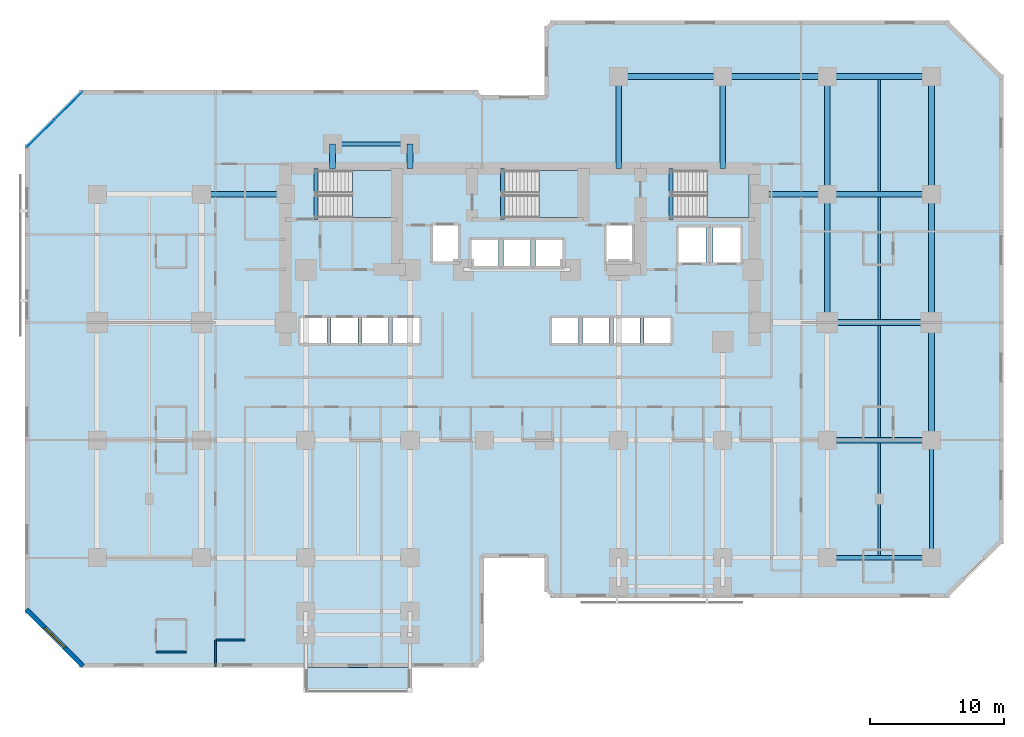
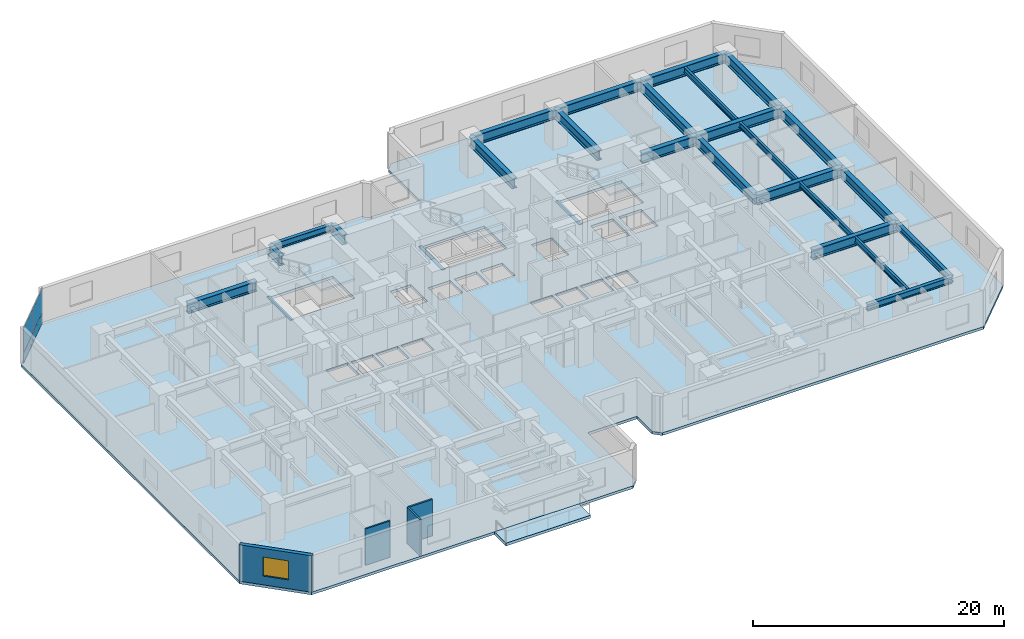
# One storey, part 4 of 12: 27 beams, 5 slabs, 4 plates, 4 walls, 1 window, 1 opening, 4 elements without a shape of their own.
"""IFC4 building model written with IfcOpenShell, lengths in metres."""

from ifc_helpers import new_model, si_unit, direction, frame, frame_2d, origin, origin_2d, place, context, subcontext, project, spatial, polyline, rectangle, i_section, outline, extrude, material, layer, layer_set, material_profile, profile_set, type_object, element, fill, aggregate, save


model = new_model("IFC4")

# Units and contexts
model_context = context("Model", 3, precision=1e-05, world=origin(), true_north=direction((0.0, 1.0)))
body_context = subcontext(model_context, "Body", "Model", "MODEL_VIEW")
ifc_project = project(units=[si_unit("LENGTHUNIT", "METRE"), si_unit("AREAUNIT", "SQUARE_METRE"), si_unit("VOLUMEUNIT", "CUBIC_METRE"), si_unit("PLANEANGLEUNIT", "RADIAN"), si_unit("MASSUNIT", "GRAM", prefix="KILO")], contexts=[model_context])

# Site, building, storey
site_placement = place(None, origin())
site = spatial("IfcSite", under=ifc_project, at=site_placement, CompositionType="ELEMENT")
building_placement = place(site_placement, origin())
building = spatial("IfcBuilding", under=site, at=building_placement, Name="Kestravale Grand Hotel", CompositionType="ELEMENT")
storey_placement = place(building_placement, frame((0.0, 0.0, 33.60009765625)))
storey = spatial("IfcBuildingStorey", under=building, at=storey_placement, Name="L07", CompositionType="ELEMENT", Elevation=33.60009765625)

# Beams
ifc_material_1 = material(Name="Steel ASTM A992 Grade 50", Category="steel")
ifc_material_profile_1 = material_profile(ifc_material_1, i_section(OverallWidth=0.2099609375, OverallDepth=0.535888671875, WebThickness=0.010986328125, FlangeThickness=0.017333984375, FilletRadius=0.017578125, at=origin_2d()))
ifc_profile_set_1 = profile_set([ifc_material_profile_1], Name="Steel ASTM A992 Grade 50")
beam_type_1 = type_object("IfcBeamType", Name="B-FLR-JST21", PredefinedType="JOIST", material=ifc_profile_set_1)
beam_1_placement = place(storey_placement, frame((66.300048828125, 11.362548828125, 3.27197265625), z_axis=(0.0, 1.0, 0.0), x_axis=(-1.0, 0.0, 0.0)))
element("IfcBeam", 1, at=beam_1_placement, inside=storey, type_object=beam_type_1, Name="L07 floor joist 10-11/C-D #1", PredefinedType="JOIST", context=body_context, shape_type="SweptSolid", body=[
    extrude(i_section(OverallWidth=0.2099609375, OverallDepth=0.535888671875, WebThickness=0.010986328125, FlangeThickness=0.017333984375, FilletRadius=0.017578125, at=origin_2d()), origin(), (0.0, 0.0, 1.0), 8.425537109375),
])
beam_2_placement = place(storey_placement, frame((66.300048828125, 20.2119140625, 3.27197265625), z_axis=(0.0, 1.0, 0.0), x_axis=(-1.0, 0.0, 0.0)))
element("IfcBeam", 2, at=beam_2_placement, inside=storey, type_object=beam_type_1, Name="L07 floor joist 10-11/D-E #1", PredefinedType="JOIST", context=body_context, shape_type="SweptSolid", body=[
    extrude(i_section(OverallWidth=0.2099609375, OverallDepth=0.535888671875, WebThickness=0.010986328125, FlangeThickness=0.017333984375, FilletRadius=0.017578125, at=origin_2d()), origin(), (0.0, 0.0, 1.0), 8.3759765625),
])
beam_3_placement = place(storey_placement, frame((66.300048828125, 29.011962890625, 3.27197265625), z_axis=(0.0, 1.0, 0.0), x_axis=(-1.0, 0.0, 0.0)))
element("IfcBeam", 3, at=beam_3_placement, inside=storey, type_object=beam_type_1, Name="L07 floor joist 10-11/E-F #1", PredefinedType="JOIST", context=body_context, shape_type="SweptSolid", body=[
    extrude(i_section(OverallWidth=0.2099609375, OverallDepth=0.535888671875, WebThickness=0.010986328125, FlangeThickness=0.017333984375, FilletRadius=0.017578125, at=origin_2d()), origin(), (0.0, 0.0, 1.0), 9.176025390625),
])
beam_4_placement = place(storey_placement, frame((66.300048828125, 38.612060546875, 3.27197265625), z_axis=(0.0, 1.0, 0.0), x_axis=(-1.0, 0.0, 0.0)))
element("IfcBeam", 4, at=beam_4_placement, inside=storey, type_object=beam_type_1, Name="L07 floor joist 10-11/F-G #1", PredefinedType="JOIST", context=body_context, shape_type="SweptSolid", body=[
    extrude(i_section(OverallWidth=0.2099609375, OverallDepth=0.535888671875, WebThickness=0.010986328125, FlangeThickness=0.017333984375, FilletRadius=0.017578125, at=origin_2d()), origin(), (0.0, 0.0, 1.0), 8.3759765625),
])
ifc_material_2 = material(Name="Concrete f'c 45 MPa", Category="concrete")
ifc_material_profile_2 = material_profile(ifc_material_2, rectangle(XDim=0.300048828125, YDim=0.39990234375, at=origin_2d()))
ifc_profile_set_2 = profile_set([ifc_material_profile_2], Name="Concrete f'c 45 MPa")
beam_type_2 = type_object("IfcBeamType", Name="B-FLR-LNT400", PredefinedType="LINTEL", material=ifc_profile_set_2)
for number, where, z_axis, x_axis, name in (
    (5, (24.159912109375, 36.52001953125, -0.2001953125), (0.0, 1.0, 0.0), (-1.0, 0.0, 0.0), "L07 ST1 flight bottom header beam"),
    (6, (38.110107421875, 36.52001953125, -0.2001953125), (0.0, 1.0, 0.0), (-1.0, 0.0, 0.0), "L07 ST2 flight bottom header beam"),
    (7, (50.7099609375, 36.52001953125, -0.2001953125), (0.0, 1.0, 0.0), (-1.0, 0.0, 0.0), "L07 ST3 flight bottom header beam"),
):
    element("IfcBeam", number, at=place(storey_placement, frame(where, z_axis=z_axis, x_axis=x_axis)), inside=storey, type_object=beam_type_2, Name=name, PredefinedType="LINTEL", context=body_context, shape_type="SweptSolid", body=[
        extrude(rectangle(XDim=0.300048828125, YDim=0.39990234375, at=origin_2d()), origin(), (0.0, 0.0, 1.0), 3.800048828125),
    ])
ifc_material_3 = material(Name="Steel ASTM A992 Grade 50", Category="steel")
ifc_material_profile_3 = material_profile(ifc_material_3, i_section(OverallWidth=0.324951171875, OverallDepth=0.612060546875, WebThickness=0.0126953125, FlangeThickness=0.01904296875, FilletRadius=0.018798828125, at=origin_2d()))
ifc_profile_set_3 = profile_set([ifc_material_profile_3], Name="Steel ASTM A992 Grade 50")
beam_type_3 = type_object("IfcBeamType", Name="B-FLR-W24A", PredefinedType="SPANDREL", material=ifc_profile_set_3)
beam_5_placement = place(storey_placement, frame((62.39990234375, 11.199951171875, 3.23388671875), z_axis=(1.0, 0.0, 0.0), x_axis=(0.0, 1.0, 0.0)))
element("IfcBeam", 8, at=beam_5_placement, inside=storey, type_object=beam_type_3, Name="L07 spandrel C:10-11", PredefinedType="SPANDREL", context=body_context, shape_type="SweptSolid", body=[
    extrude(i_section(OverallWidth=0.324951171875, OverallDepth=0.612060546875, WebThickness=0.0126953125, FlangeThickness=0.01904296875, FilletRadius=0.018798828125, at=origin_2d()), origin(), (0.0, 0.0, 1.0), 7.800048828125),
])
beam_6_placement = place(storey_placement, frame((25.39990234375, 42.14990234375, 3.23388671875), z_axis=(1.0, 0.0, 0.0), x_axis=(0.0, 1.0, 0.0)))
element("IfcBeam", 9, at=beam_6_placement, inside=storey, type_object=beam_type_3, Name="L07 perimeter tie spandrel FN:4-5", PredefinedType="SPANDREL", context=body_context, shape_type="SweptSolid", body=[
    extrude(i_section(OverallWidth=0.324951171875, OverallDepth=0.612060546875, WebThickness=0.0126953125, FlangeThickness=0.01904296875, FilletRadius=0.018798828125, at=origin_2d()), origin(), (0.0, 0.0, 1.0), 5.800048828125),
])
beam_7_placement = place(storey_placement, frame((70.199951171875, 11.199951171875, 3.23388671875), z_axis=(0.0, 1.0, 0.0), x_axis=(-1.0, 0.0, 0.0)))
element("IfcBeam", 10, at=beam_7_placement, inside=storey, type_object=beam_type_3, Name="L07 spandrel 11:C-D", PredefinedType="SPANDREL", context=body_context, shape_type="SweptSolid", body=[
    extrude(i_section(OverallWidth=0.324951171875, OverallDepth=0.612060546875, WebThickness=0.0126953125, FlangeThickness=0.01904296875, FilletRadius=0.018798828125, at=origin_2d()), origin(), (0.0, 0.0, 1.0), 8.800048828125),
])
ifc_material_4 = material(Name="Steel ASTM A992 Grade 50", Category="steel")
ifc_material_profile_4 = material_profile(ifc_material_4, i_section(OverallWidth=0.424072265625, OverallDepth=0.947021484375, WebThickness=0.02392578125, FlangeThickness=0.042724609375, FilletRadius=0.0283203125, at=origin_2d()))
ifc_profile_set_4 = profile_set([ifc_material_profile_4], Name="Steel ASTM A992 Grade 50")
beam_type_4 = type_object("IfcBeamType", Name="B-GRD-W36", PredefinedType="BEAM", material=ifc_profile_set_4)
for number, where, z_axis, x_axis, name in (
    (11, (62.39990234375, 20.0, 3.06640625), (1.0, 0.0, 0.0), (0.0, 1.0, 0.0), "L07 girder D:10-11"),
    (12, (62.39990234375, 28.800048828125, 3.06640625), (1.0, 0.0, 0.0), (0.0, 1.0, 0.0), "L07 girder E:10-11"),
):
    element("IfcBeam", number, at=place(storey_placement, frame(where, z_axis=z_axis, x_axis=x_axis)), inside=storey, type_object=beam_type_4, Name=name, PredefinedType="BEAM", context=body_context, shape_type="SweptSolid", body=[
        extrude(i_section(OverallWidth=0.424072265625, OverallDepth=0.947021484375, WebThickness=0.02392578125, FlangeThickness=0.042724609375, FilletRadius=0.0283203125, at=origin_2d()), origin(), (0.0, 0.0, 1.0), 7.800048828125),
    ])
beam_8_placement = place(storey_placement, frame((15.60009765625, 38.39990234375, 3.06640625), z_axis=(1.0, 0.0, 0.0), x_axis=(0.0, 1.0, 0.0)))
element("IfcBeam", 13, at=beam_8_placement, inside=storey, type_object=beam_type_4, Name="L07 girder F:3-CW", PredefinedType="BEAM", context=body_context, shape_type="SweptSolid", body=[
    extrude(i_section(OverallWidth=0.424072265625, OverallDepth=0.947021484375, WebThickness=0.02392578125, FlangeThickness=0.042724609375, FilletRadius=0.0283203125, at=origin_2d()), origin(), (0.0, 0.0, 1.0), 6.2998046875),
])
beam_9_placement = place(storey_placement, frame((57.35009765625, 38.39990234375, 3.06640625), z_axis=(1.0, 0.0, 0.0), x_axis=(0.0, 1.0, 0.0)))
element("IfcBeam", 14, at=beam_9_placement, inside=storey, type_object=beam_type_4, Name="L07 girder F:CE-10", PredefinedType="BEAM", context=body_context, shape_type="SweptSolid", body=[
    extrude(i_section(OverallWidth=0.424072265625, OverallDepth=0.947021484375, WebThickness=0.02392578125, FlangeThickness=0.042724609375, FilletRadius=0.0283203125, at=origin_2d()), origin(), (0.0, 0.0, 1.0), 5.0498046875),
])
for number, where, z_axis, x_axis, name in (
    (15, (62.39990234375, 38.39990234375, 3.06640625), (1.0, 0.0, 0.0), (0.0, 1.0, 0.0), "L07 girder F:10-11"),
    (16, (46.800048828125, 47.199951171875, 3.06640625), (1.0, 0.0, 0.0), (0.0, 1.0, 0.0), "L07 girder G:8-9"),
):
    element("IfcBeam", number, at=place(storey_placement, frame(where, z_axis=z_axis, x_axis=x_axis)), inside=storey, type_object=beam_type_4, Name=name, PredefinedType="BEAM", context=body_context, shape_type="SweptSolid", body=[
        extrude(i_section(OverallWidth=0.424072265625, OverallDepth=0.947021484375, WebThickness=0.02392578125, FlangeThickness=0.042724609375, FilletRadius=0.0283203125, at=origin_2d()), origin(), (0.0, 0.0, 1.0), 7.800048828125),
    ])
beam_10_placement = place(storey_placement, frame((54.60009765625, 47.199951171875, 3.06640625), z_axis=(1.0, 0.0, 0.0), x_axis=(0.0, 1.0, 0.0)))
element("IfcBeam", 17, at=beam_10_placement, inside=storey, type_object=beam_type_4, Name="L07 girder G:9-10", PredefinedType="BEAM", context=body_context, shape_type="SweptSolid", body=[
    extrude(i_section(OverallWidth=0.424072265625, OverallDepth=0.947021484375, WebThickness=0.02392578125, FlangeThickness=0.042724609375, FilletRadius=0.0283203125, at=origin_2d()), origin(), (0.0, 0.0, 1.0), 7.7998046875),
])
beam_11_placement = place(storey_placement, frame((62.39990234375, 47.199951171875, 3.06640625), z_axis=(1.0, 0.0, 0.0), x_axis=(0.0, 1.0, 0.0)))
element("IfcBeam", 18, at=beam_11_placement, inside=storey, type_object=beam_type_4, Name="L07 girder G:10-11", PredefinedType="BEAM", context=body_context, shape_type="SweptSolid", body=[
    extrude(i_section(OverallWidth=0.424072265625, OverallDepth=0.947021484375, WebThickness=0.02392578125, FlangeThickness=0.042724609375, FilletRadius=0.0283203125, at=origin_2d()), origin(), (0.0, 0.0, 1.0), 7.800048828125),
])
beam_12_placement = place(storey_placement, frame((62.39990234375, 28.800048828125, 3.06640625), z_axis=(0.0, 1.0, 0.0), x_axis=(-1.0, 0.0, 0.0)))
element("IfcBeam", 19, at=beam_12_placement, inside=storey, type_object=beam_type_4, Name="L07 girder 10:E-F", PredefinedType="BEAM", context=body_context, shape_type="SweptSolid", body=[
    extrude(i_section(OverallWidth=0.424072265625, OverallDepth=0.947021484375, WebThickness=0.02392578125, FlangeThickness=0.042724609375, FilletRadius=0.0283203125, at=origin_2d()), origin(), (0.0, 0.0, 1.0), 9.599853515625),
])
for number, where, z_axis, x_axis, name in (
    (20, (62.39990234375, 38.39990234375, 3.06640625), (0.0, 1.0, 0.0), (-1.0, 0.0, 0.0), "L07 girder 10:F-G"),
    (21, (70.199951171875, 20.0, 3.06640625), (0.0, 1.0, 0.0), (-1.0, 0.0, 0.0), "L07 girder 11:D-E"),
):
    element("IfcBeam", number, at=place(storey_placement, frame(where, z_axis=z_axis, x_axis=x_axis)), inside=storey, type_object=beam_type_4, Name=name, PredefinedType="BEAM", context=body_context, shape_type="SweptSolid", body=[
        extrude(i_section(OverallWidth=0.424072265625, OverallDepth=0.947021484375, WebThickness=0.02392578125, FlangeThickness=0.042724609375, FilletRadius=0.0283203125, at=origin_2d()), origin(), (0.0, 0.0, 1.0), 8.800048828125),
    ])
beam_13_placement = place(storey_placement, frame((70.199951171875, 28.800048828125, 3.06640625), z_axis=(0.0, 1.0, 0.0), x_axis=(-1.0, 0.0, 0.0)))
element("IfcBeam", 22, at=beam_13_placement, inside=storey, type_object=beam_type_4, Name="L07 girder 11:E-F", PredefinedType="BEAM", context=body_context, shape_type="SweptSolid", body=[
    extrude(i_section(OverallWidth=0.424072265625, OverallDepth=0.947021484375, WebThickness=0.02392578125, FlangeThickness=0.042724609375, FilletRadius=0.0283203125, at=origin_2d()), origin(), (0.0, 0.0, 1.0), 9.599853515625),
])
beam_14_placement = place(storey_placement, frame((70.199951171875, 38.39990234375, 3.06640625), z_axis=(0.0, 1.0, 0.0), x_axis=(-1.0, 0.0, 0.0)))
element("IfcBeam", 23, at=beam_14_placement, inside=storey, type_object=beam_type_4, Name="L07 girder 11:F-G", PredefinedType="BEAM", context=body_context, shape_type="SweptSolid", body=[
    extrude(i_section(OverallWidth=0.424072265625, OverallDepth=0.947021484375, WebThickness=0.02392578125, FlangeThickness=0.042724609375, FilletRadius=0.0283203125, at=origin_2d()), origin(), (0.0, 0.0, 1.0), 8.800048828125),
])
for number, where, z_axis, x_axis, name in (
    (24, (25.39990234375, 40.320068359375, 3.06640625), (0.0, 1.0, 0.0), (-1.0, 0.0, 0.0), "L07 north wing tie girder 4:CN-FN"),
    (25, (31.199951171875, 40.320068359375, 3.06640625), (0.0, 1.0, 0.0), (-1.0, 0.0, 0.0), "L07 north wing tie girder 5:CN-FN"),
):
    element("IfcBeam", number, at=place(storey_placement, frame(where, z_axis=z_axis, x_axis=x_axis)), inside=storey, type_object=beam_type_4, Name=name, PredefinedType="BEAM", context=body_context, shape_type="SweptSolid", body=[
        extrude(i_section(OverallWidth=0.424072265625, OverallDepth=0.947021484375, WebThickness=0.02392578125, FlangeThickness=0.042724609375, FilletRadius=0.0283203125, at=origin_2d()), origin(), (0.0, 0.0, 1.0), 1.829833984375),
    ])
for number, where, z_axis, x_axis, name in (
    (26, (46.800048828125, 40.320068359375, 3.06640625), (0.0, 1.0, 0.0), (-1.0, 0.0, 0.0), "L07 north wing tie girder 8:CN-G"),
    (27, (54.60009765625, 40.320068359375, 3.06640625), (0.0, 1.0, 0.0), (-1.0, 0.0, 0.0), "L07 north wing tie girder 9:CN-G"),
):
    element("IfcBeam", number, at=place(storey_placement, frame(where, z_axis=z_axis, x_axis=x_axis)), inside=storey, type_object=beam_type_4, Name=name, PredefinedType="BEAM", context=body_context, shape_type="SweptSolid", body=[
        extrude(i_section(OverallWidth=0.424072265625, OverallDepth=0.947021484375, WebThickness=0.02392578125, FlangeThickness=0.042724609375, FilletRadius=0.0283203125, at=origin_2d()), origin(), (0.0, 0.0, 1.0), 6.8798828125),
    ])

# Curtain wall, plates
ifc_material_5 = material(Name="Thermally broken champagne-bronze aluminium and low-E glazing", Category="aluminium")
ifc_layer_1 = layer(ifc_material_5, 0.199951171875)
ifc_layer_set_1 = layer_set([ifc_layer_1], Name="CW-Z1")
curtain_wall_type = type_object("IfcCurtainWallType", Name="CW-Z1", PredefinedType="NOTDEFINED", material=ifc_layer_set_1)
curtain_wall_placement = place(storey_placement, origin())
curtain_wall = element("IfcCurtainWall", 28, at=curtain_wall_placement, inside=storey, type_object=curtain_wall_type, Name="L07 unitised curtain wall 18", PredefinedType="NOTDEFINED")
ifc_material_6 = material(Name="Insulated clear low-E double glazing IGU", Category="glass")
ifc_layer_2 = layer(ifc_material_6, 0.035888671875)
ifc_layer_set_2 = layer_set([ifc_layer_2], Name="CW-PNL-36")
plate_type = type_object("IfcPlateType", Name="CW-PNL-36", PredefinedType="CURTAIN_PANEL", material=ifc_layer_set_2)
plate_1_placement = place(storey_placement, frame((5.6640625, 45.023681640625, 0.074951171875), z_axis=(0.0, 0.0, 1.0), x_axis=(-0.707106781187, -0.707106781187, 0.0)))
plate_1 = element("IfcPlate", 29, at=plate_1_placement, type_object=plate_type, Name="CW-Z1 panel 1.1", PredefinedType="CURTAIN_PANEL", context=body_context, shape_type="SweptSolid", body=[
    extrude(rectangle(XDim=2.87744140625, YDim=0.035888671875, at=origin_2d()), origin(), (0.0, 0.0, 1.0), 0.9375),
])
plate_2_placement = place(storey_placement, frame((5.6640625, 45.023681640625, 1.08740234375), z_axis=(0.0, 0.0, 1.0), x_axis=(-0.707106781187, -0.707106781187, 0.0)))
plate_2 = element("IfcPlate", 30, at=plate_2_placement, type_object=plate_type, Name="CW-Z1 panel 1.2", PredefinedType="CURTAIN_PANEL", context=body_context, shape_type="SweptSolid", body=[
    extrude(rectangle(XDim=2.87744140625, YDim=0.035888671875, at=origin_2d()), origin(), (0.0, 0.0, 1.0), 2.37744140625),
])
plate_3_placement = place(storey_placement, frame((3.576416015625, 42.93603515625, 0.074951171875), z_axis=(0.0, 0.0, 1.0), x_axis=(-0.707106781187, -0.707106781187, 0.0)))
plate_3 = element("IfcPlate", 31, at=plate_3_placement, type_object=plate_type, Name="CW-Z1 panel 2.1", PredefinedType="CURTAIN_PANEL", context=body_context, shape_type="SweptSolid", body=[
    extrude(rectangle(XDim=2.87744140625, YDim=0.035888671875, at=origin_2d()), origin(), (0.0, 0.0, 1.0), 0.9375),
])
plate_4_placement = place(storey_placement, frame((3.576416015625, 42.93603515625, 1.08740234375), z_axis=(0.0, 0.0, 1.0), x_axis=(-0.707106781187, -0.707106781187, 0.0)))
plate_4 = element("IfcPlate", 32, at=plate_4_placement, type_object=plate_type, Name="CW-Z1 panel 2.2", PredefinedType="CURTAIN_PANEL", context=body_context, shape_type="SweptSolid", body=[
    extrude(rectangle(XDim=2.87744140625, YDim=0.035888671875, at=origin_2d()), origin(), (0.0, 0.0, 1.0), 2.37744140625),
])
aggregate(curtain_wall, [plate_1, plate_2, plate_3, plate_4])

# Slab
ifc_material_7 = material(Name="Concrete f'c 45 MPa", Category="concrete")
ifc_layer_3 = layer(ifc_material_7, 0.27001953125)
ifc_layer_set_3 = layer_set([ifc_layer_3], Name="ES-TERR-270")
slab_type_1 = type_object("IfcSlabType", Name="ES-TERR-270", PredefinedType="FLOOR", material=ifc_layer_set_3)
slab_1_placement = place(storey_placement, frame((0.0, 0.0, -0.27001953125)))
element("IfcSlab", 33, at=slab_1_placement, inside=storey, type_object=slab_type_1, Name="L07 spiralling planted garden terrace", PredefinedType="FLOOR", context=body_context, shape_type="SweptSolid", body=[
    extrude(outline(polyline([(23.39990234375, 1.14990234375), (31.199951171875, 1.14990234375), (31.199951171875, 3.0), (23.39990234375, 3.0), (23.39990234375, 1.14990234375)])), origin(), (0.0, 0.0, 1.0), 0.27001953125),
])

# Stair, slab
ifc_material_8 = material(Name="Concrete f'c 45 MPa", Category="concrete")
stair_type = type_object("IfcStairType", Name="ST-CORE-380", PredefinedType="HALF_TURN_STAIR", material=ifc_material_8)
stair_1_placement = place(storey_placement, origin())
stair_1 = element("IfcStair", 34, at=stair_1_placement, inside=storey, type_object=stair_type, Name="L07 ST-1", PredefinedType="HALF_TURN_STAIR")
ifc_material_9 = material(Name="Concrete f'c 45 MPa", Category="concrete")
ifc_layer_4 = layer(ifc_material_9, 0.199951171875)
ifc_layer_set_4 = layer_set([ifc_layer_4], Name="SLB-ST-LND200")
slab_type_2 = type_object("IfcSlabType", Name="SLB-ST-LND200", PredefinedType="LANDING", material=ifc_layer_set_4)
slab_2_placement = place(storey_placement, frame((0.0, 0.0, 1.699951171875)))
slab_2 = element("IfcSlab", 35, at=slab_2_placement, type_object=slab_type_2, Name="ST-1 landing 1", PredefinedType="LANDING", context=body_context, shape_type="SweptSolid", body=[
    extrude(outline(polyline([(26.8798828125, 36.64990234375), (30.0, 36.64990234375), (30.0, 40.159912109375), (26.8798828125, 40.159912109375), (26.8798828125, 36.64990234375)])), origin(), (0.0, 0.0, 1.0), 0.199951171875),
])
aggregate(stair_1, [slab_2])

stair_2_placement = place(storey_placement, origin())
stair_2 = element("IfcStair", 36, at=stair_2_placement, inside=storey, type_object=stair_type, Name="L07 ST-2", PredefinedType="HALF_TURN_STAIR")
slab_3_placement = place(storey_placement, frame((0.0, 0.0, 1.699951171875)))
slab_3 = element("IfcSlab", 37, at=slab_3_placement, type_object=slab_type_2, Name="ST-2 landing 1", PredefinedType="LANDING", context=body_context, shape_type="SweptSolid", body=[
    extrude(outline(polyline([(40.830078125, 36.64990234375), (43.949951171875, 36.64990234375), (43.949951171875, 40.159912109375), (40.830078125, 40.159912109375), (40.830078125, 36.64990234375)])), origin(), (0.0, 0.0, 1.0), 0.199951171875),
])
aggregate(stair_2, [slab_3])

stair_3_placement = place(storey_placement, origin())
stair_3 = element("IfcStair", 38, at=stair_3_placement, inside=storey, type_object=stair_type, Name="L07 ST-3", PredefinedType="HALF_TURN_STAIR")
slab_4_placement = place(storey_placement, frame((0.0, 0.0, 1.699951171875)))
slab_4 = element("IfcSlab", 39, at=slab_4_placement, type_object=slab_type_2, Name="ST-3 landing 1", PredefinedType="LANDING", context=body_context, shape_type="SweptSolid", body=[
    extrude(outline(polyline([(53.429931640625, 36.64990234375), (56.550048828125, 36.64990234375), (56.550048828125, 40.159912109375), (53.429931640625, 40.159912109375), (53.429931640625, 36.64990234375)])), origin(), (0.0, 0.0, 1.0), 0.199951171875),
])
aggregate(stair_3, [slab_4])

# Slab
ifc_material_10 = material(Name="Concrete f'c 45 MPa", Category="concrete")
ifc_layer_5 = layer(ifc_material_10, 0.260009765625)
ifc_layer_set_5 = layer_set([ifc_layer_5], Name="SS-FLR-260")
slab_type_3 = type_object("IfcSlabType", Name="SS-FLR-260", PredefinedType="FLOOR", material=ifc_layer_set_5)
slab_5_placement = place(storey_placement, frame((0.0, 0.0, -0.260009765625)))
element("IfcSlab", 40, at=slab_5_placement, inside=storey, type_object=slab_type_3, Name="L07 structural floor slab", PredefinedType="FLOOR", context=body_context, shape_type="SweptSolid", body=[
    extrude(outline(polyline([(6.60009765625, 3.0), (36.14990234375, 3.0), (36.75, 3.60009765625), (36.75, 11.199951171875), (41.25, 11.199951171875), (41.25, 8.800048828125), (41.85009765625, 8.199951171875), (71.39990234375, 8.199951171875), (75.60009765625, 12.39990234375), (75.60009765625, 47.199951171875), (71.39990234375, 51.39990234375), (41.85009765625, 51.39990234375), (41.25, 50.800048828125), (41.25, 45.800048828125), (36.75, 45.800048828125), (36.75, 45.60009765625), (36.14990234375, 46.199951171875), (6.60009765625, 46.199951171875), (2.39990234375, 42.0), (2.39990234375, 7.199951171875), (6.60009765625, 3.0)]), holes=[polyline([(24.080078125, 36.64990234375), (30.0, 36.64990234375), (30.0, 40.159912109375), (24.080078125, 40.159912109375), (24.080078125, 36.64990234375)]), polyline([(38.030029296875, 36.64990234375), (43.949951171875, 36.64990234375), (43.949951171875, 40.159912109375), (38.030029296875, 40.159912109375), (38.030029296875, 36.64990234375)]), polyline([(50.6298828125, 36.64990234375), (56.550048828125, 36.64990234375), (56.550048828125, 40.159912109375), (50.6298828125, 40.159912109375), (50.6298828125, 36.64990234375)]), polyline([(23.0048828125, 27.280029296875), (24.9951171875, 27.280029296875), (24.9951171875, 29.1201171875), (23.0048828125, 29.1201171875), (23.0048828125, 27.280029296875)]), polyline([(25.304931640625, 27.280029296875), (27.294921875, 27.280029296875), (27.294921875, 29.1201171875), (25.304931640625, 29.1201171875), (25.304931640625, 27.280029296875)]), polyline([(27.60498046875, 27.280029296875), (29.594970703125, 27.280029296875), (29.594970703125, 29.1201171875), (27.60498046875, 29.1201171875), (27.60498046875, 27.280029296875)]), polyline([(29.905029296875, 27.280029296875), (31.89501953125, 27.280029296875), (31.89501953125, 29.1201171875), (29.905029296875, 29.1201171875), (29.905029296875, 27.280029296875)]), polyline([(41.804931640625, 27.280029296875), (43.794921875, 27.280029296875), (43.794921875, 29.1201171875), (41.804931640625, 29.1201171875), (41.804931640625, 27.280029296875)]), polyline([(44.10498046875, 27.280029296875), (46.094970703125, 27.280029296875), (46.094970703125, 29.1201171875), (44.10498046875, 29.1201171875), (44.10498046875, 27.280029296875)]), polyline([(46.405029296875, 27.280029296875), (48.39501953125, 27.280029296875), (48.39501953125, 29.1201171875), (46.405029296875, 29.1201171875), (46.405029296875, 27.280029296875)]), polyline([(48.705078125, 27.280029296875), (50.695068359375, 27.280029296875), (50.695068359375, 29.1201171875), (48.705078125, 29.1201171875), (48.705078125, 27.280029296875)]), polyline([(35.780029296875, 33.030029296875), (37.820068359375, 33.030029296875), (37.820068359375, 34.969970703125), (35.780029296875, 34.969970703125), (35.780029296875, 33.030029296875)]), polyline([(38.179931640625, 33.030029296875), (40.219970703125, 33.030029296875), (40.219970703125, 34.969970703125), (38.179931640625, 34.969970703125), (38.179931640625, 33.030029296875)]), polyline([(40.580078125, 33.030029296875), (42.6201171875, 33.030029296875), (42.6201171875, 34.969970703125), (40.580078125, 34.969970703125), (40.580078125, 33.030029296875)]), polyline([(32.905029296875, 33.35498046875), (34.794921875, 33.35498046875), (34.794921875, 36.044921875), (32.905029296875, 36.044921875), (32.905029296875, 33.35498046875)]), polyline([(45.905029296875, 33.35498046875), (47.794921875, 33.35498046875), (47.794921875, 36.044921875), (45.905029296875, 36.044921875), (45.905029296875, 33.35498046875)]), polyline([(51.280029296875, 33.280029296875), (53.320068359375, 33.280029296875), (53.320068359375, 35.919921875), (51.280029296875, 35.919921875), (51.280029296875, 33.280029296875)]), polyline([(53.8798828125, 33.280029296875), (55.919921875, 33.280029296875), (55.919921875, 35.919921875), (53.8798828125, 35.919921875), (53.8798828125, 33.280029296875)])]), origin(), (0.0, 0.0, 1.0), 0.260009765625),
])

# Wall, opening, window
ifc_material_11 = material(Name="Precast concrete f'c 45 MPa", Category="concrete")
ifc_layer_6 = layer(ifc_material_11, 0.340087890625)
ifc_layer_set_6 = layer_set([ifc_layer_6], Name="EW-PREC-340")
wall_type_1 = type_object("IfcWallType", Name="EW-PREC-340", PredefinedType="SOLIDWALL", material=ifc_layer_set_6)
wall_1_placement = place(storey_placement, frame((2.491943359375, 7.348388671875, 0.0), z_axis=(0.0, 0.0, 1.0), x_axis=(0.707106781187, -0.707106781187, 0.0)))
wall_1 = element("IfcWall", 41, at=wall_1_placement, inside=storey, type_object=wall_type_1, Name="L07 fluted precast facade wall 20", PredefinedType="SOLIDWALL", context=body_context, shape_type="SweptSolid", body=[
    extrude(rectangle(XDim=6.019775390625, YDim=0.340087890625, at=frame_2d((3.009765625, 0.0))), origin(), (0.0, 0.0, 1.0), 3.539794921875),
])
opening_placement = place(wall_1_placement, frame((1.9599609375, 0.0, 0.85009765625)))
opening = element("IfcOpeningElement", 42, at=opening_placement, cuts=wall_1, Name="Opening W-GUEST-2100", PredefinedType="OPENING", context=body_context, shape_type="SweptSolid", body=[
    extrude(rectangle(XDim=2.10009765625, YDim=1.85009765625, at=frame_2d((1.050048828125, 0.925048828125))), frame((0.0, 0.179931640625, 0.0), z_axis=(0.0, -1.0, 0.0), x_axis=(1.0, 0.0, 0.0)), (0.0, 0.0, 1.0), 0.360107421875),
])
ifc_material_12 = material(Name="Insulated low-E double glazing in aluminium frame", Category="aluminium")
window_type = type_object("IfcWindowType", Name="W-GUEST-2100", PartitioningType="DOUBLE_PANEL_VERTICAL", PredefinedType="WINDOW", material=ifc_material_12)
window_placement = place(opening_placement, origin())
window = element("IfcWindow", 43, at=window_placement, inside=storey, type_object=window_type, Name="L07 exterior window 20.1", OverallHeight=1.85009765625, OverallWidth=2.10009765625, PartitioningType="SINGLE_PANEL", PredefinedType="WINDOW", context=body_context, shape_type="SweptSolid", body=[
    extrude(rectangle(XDim=2.10009765625, YDim=1.85009765625, at=frame_2d((1.050048828125, 0.925048828125))), frame((0.0, 0.030029296875, 0.0), z_axis=(0.0, -1.0, 0.0), x_axis=(1.0, 0.0, 0.0)), (0.0, 0.0, 1.0), 0.06005859375),
])
fill(opening, window)

# Walls
ifc_material_13 = material(Name="Moisture-resistant tile-backer plumbing chase wall", Category="other")
ifc_layer_7 = layer(ifc_material_13, 0.139892578125)
ifc_layer_set_7 = layer_set([ifc_layer_7], Name="IW-PLB-140")
wall_type_2 = type_object("IfcWallType", Name="IW-PLB-140", PredefinedType="PLUMBINGWALL", material=ifc_layer_set_7)
wall_2_placement = place(storey_placement, frame((12.199951171875, 4.14990234375, 0.0), z_axis=(0.0, 0.0, 1.0), x_axis=(1.0, 0.0, 0.0)))
element("IfcWall", 44, at=wall_2_placement, inside=storey, type_object=wall_type_2, Name="W-L07-U06-BS", PredefinedType="PLUMBINGWALL", context=body_context, shape_type="SweptSolid", body=[
    extrude(rectangle(XDim=2.25, YDim=0.139892578125, at=frame_2d((1.125, 0.0))), origin(), (0.0, 0.0, 1.0), 3.539794921875),
])
ifc_material_14 = material(Name="Double-stud STC 52 acoustic demising partition", Category="other")
ifc_layer_8 = layer(ifc_material_14, 0.14990234375)
ifc_layer_set_8 = layer_set([ifc_layer_8], Name="IW-UNIT-150")
wall_type_3 = type_object("IfcWallType", Name="IW-UNIT-150", PredefinedType="PARTITIONING", material=ifc_layer_set_8)
wall_3_placement = place(storey_placement, frame((16.639892578125, 5.050048828125, 0.0), z_axis=(0.0, 0.0, 1.0), x_axis=(1.0, 0.0, 0.0)))
element("IfcWall", 45, at=wall_3_placement, inside=storey, type_object=wall_type_3, Name="W-L07-SW-S", PredefinedType="PARTITIONING", context=body_context, shape_type="SweptSolid", body=[
    extrude(rectangle(XDim=2.22021484375, YDim=0.14990234375, at=frame_2d((1.110107421875, 0.0))), origin(), (0.0, 0.0, 1.0), 3.539794921875),
])
wall_4_placement = place(storey_placement, frame((16.639892578125, 3.02001953125, 0.0), z_axis=(0.0, 0.0, 1.0), x_axis=(0.0, 1.0, 0.0)))
element("IfcWall", 46, at=wall_4_placement, inside=storey, type_object=wall_type_3, Name="W-L07-SW-EXT", PredefinedType="PARTITIONING", context=body_context, shape_type="SweptSolid", body=[
    extrude(rectangle(XDim=2.030029296875, YDim=0.14990234375, at=frame_2d((1.01513671875, 0.0))), origin(), (0.0, 0.0, 1.0), 3.539794921875),
])

save(model, "model.ifc")
